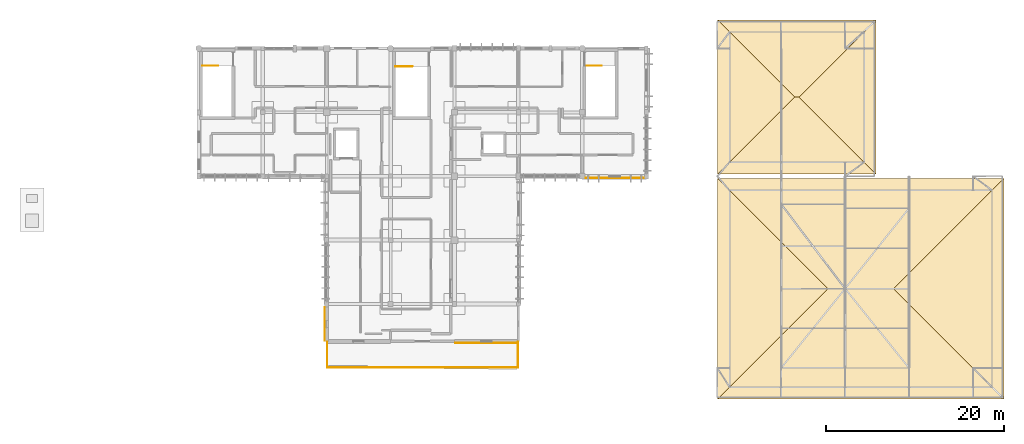
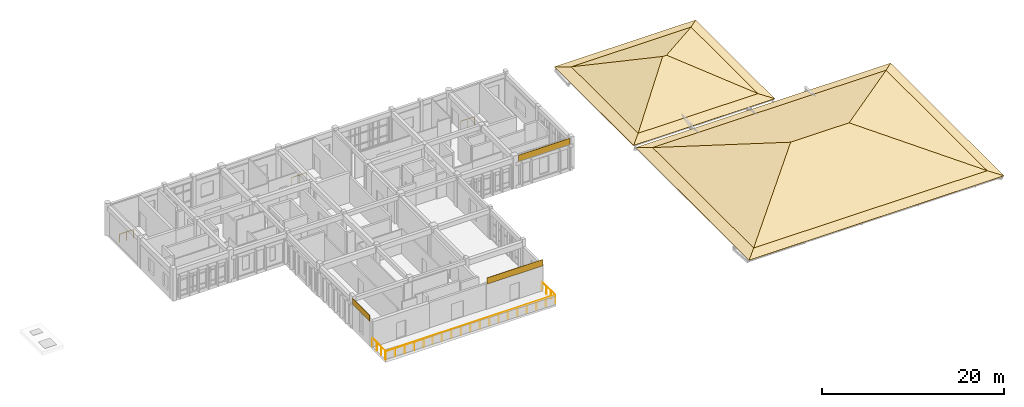
# One storey, part 19 of 19: 19 coverings, 6 railings.
"""IFC4 building model written with IfcOpenShell, lengths in metres."""

import ifcopenshell
import ifcopenshell.guid

model = None  # the IFC model being written
_history = None  # IfcOwnerHistory: only IFC2X3 demands one
_inside = {}  # id of a spatial element -> (the spatial element, [elements in it])
_under = {}  # id of a project, library or spatial element -> (it, [spatial elements below it])
_declared = {}  # id of a project -> (the project, [libraries it declares])
_typed = {}  # id of a type object -> (the type object, [elements of that type])
_made_of = {}  # id of a material, layer set ... -> (it, [elements and type objects made of it])


def new_model(schema):
    """Start an empty IFC model of exactly this schema.

    Asked for "IFC4X3", IfcOpenShell would pick the latest addendum, in which some entities
    have other attributes; the version numbers below select the first issue.
    IFC2X3 requires an IfcOwnerHistory on every rooted entity: one is made here for all.
    """
    global model, _history
    if schema == "IFC4X3":
        model = ifcopenshell.file(schema_version=(4, 3, 0, 0))
    else:
        model = ifcopenshell.file(schema=schema)
    _inside.clear()
    _under.clear()
    _declared.clear()
    _typed.clear()
    _made_of.clear()
    _history = None
    if model.schema == "IFC2X3":
        org = make("IfcOrganization", Name="unknown")
        user = make(
            "IfcPersonAndOrganization",
            ThePerson=make("IfcPerson", FamilyName="unknown"),
            TheOrganization=org,
        )
        app = make(
            "IfcApplication",
            ApplicationDeveloper=org,
            Version="unknown",
            ApplicationFullName="unknown",
            ApplicationIdentifier="unknown",
        )
        _history = make(
            "IfcOwnerHistory",
            OwningUser=user,
            OwningApplication=app,
            ChangeAction="ADDED",
            CreationDate=0,
        )
    return model


def make(cls, **values):
    """One entity of the class cls with the attributes given. An attribute that is None is left unset."""
    return model.create_entity(
        cls, **{name: value for name, value in values.items() if value is not None}
    )


def rooted(cls, **values):
    """An entity with a GlobalId (a new one), such as an element, a storey or a relation."""
    return make(cls, GlobalId=ifcopenshell.guid.new(), OwnerHistory=_history, **values)


def si_unit(unit_type, name, prefix=None):
    """IfcSIUnit, for example si_unit("LENGTHUNIT", "METRE", prefix="MILLI")."""
    return make("IfcSIUnit", UnitType=unit_type, Prefix=prefix, Name=name)


def assignment(units):
    """IfcUnitAssignment: the units of a project."""
    return None if units is None else make("IfcUnitAssignment", Units=units)


def point(xyz):
    """IfcCartesianPoint."""
    return None if xyz is None else make("IfcCartesianPoint", Coordinates=xyz)


def direction(xyz):
    """IfcDirection."""
    return None if xyz is None else make("IfcDirection", DirectionRatios=xyz)


def frame(location, z_axis=None, x_axis=None):
    """IfcAxis2Placement3D, a coordinate frame: its origin and axes. An axis left out is left unset."""
    return make(
        "IfcAxis2Placement3D",
        Location=point(location),
        Axis=direction(z_axis),
        RefDirection=direction(x_axis),
    )


def frame_2d(location, x_axis=None):
    """IfcAxis2Placement2D, a coordinate frame in the plane: its origin and x axis."""
    return make(
        "IfcAxis2Placement2D", Location=point(location), RefDirection=direction(x_axis)
    )


def origin():
    """The frame at (0, 0, 0) with its axes left unset."""
    return frame((0.0, 0.0, 0.0))


def origin_2d():
    """The frame at (0, 0) in the plane with its x axis left unset."""
    return frame_2d((0.0, 0.0))


def place(relative_to, where):
    """IfcLocalPlacement: puts the frame where relative to a parent placement (None: the world)."""
    return make(
        "IfcLocalPlacement", PlacementRelTo=relative_to, RelativePlacement=where
    )


def context(
    kind, dimensions, precision=None, world=None, true_north=None, identifier=None
):
    """IfcGeometricRepresentationContext, for example the 3D "Model" context."""
    return make(
        "IfcGeometricRepresentationContext",
        ContextIdentifier=identifier,
        ContextType=kind,
        CoordinateSpaceDimension=dimensions,
        Precision=precision,
        WorldCoordinateSystem=world,
        TrueNorth=true_north,
    )


def subcontext(parent, identifier, kind, view, scale=None):
    """IfcGeometricRepresentationSubContext, for example "Body" below "Model"."""
    return make(
        "IfcGeometricRepresentationSubContext",
        ContextIdentifier=identifier,
        ContextType=kind,
        ParentContext=parent,
        TargetScale=scale,
        TargetView=view,
    )


def project(units=None, contexts=None):
    """IfcProject with its units and contexts."""
    return rooted(
        "IfcProject",
        Name="project",
        RepresentationContexts=contexts,
        UnitsInContext=assignment(units),
    )


def spatial(cls, under=None, at=None, **own):
    """A site, building, storey or space (cls), placed at a placement, below another one or the project."""
    s = rooted(cls, ObjectPlacement=at, **own)
    if under is not None:
        _under.setdefault(under.id(), (under, []))[1].append(s)
    return s


def polyline(points):
    """IfcPolyline through the points."""
    return make("IfcPolyline", Points=[point(p) for p in points])


def profile(cls, at=None, kind="AREA", **sizes):
    """A parametric profile (cls). Its sizes go by their IFC names, for example OverallWidth=200.0."""
    return make(cls, ProfileType=kind, Position=at, **sizes)


def rectangle(**sizes):
    """IfcRectangleProfileDef."""
    return profile("IfcRectangleProfileDef", **sizes)


def circle(**sizes):
    """IfcCircleProfileDef."""
    return profile("IfcCircleProfileDef", **sizes)


def outline(outer, holes=None, kind="AREA"):
    """IfcArbitraryClosedProfileDef: a profile drawn as a closed curve; with holes, ...WithVoids."""
    if holes is None:
        return make("IfcArbitraryClosedProfileDef", ProfileType=kind, OuterCurve=outer)
    return make(
        "IfcArbitraryProfileDefWithVoids",
        ProfileType=kind,
        OuterCurve=outer,
        InnerCurves=holes,
    )


def extrude(swept, where, along, depth):
    """IfcExtrudedAreaSolid: the profile swept, set in the frame where, extruded along a direction by depth."""
    return make(
        "IfcExtrudedAreaSolid",
        SweptArea=swept,
        Position=where,
        ExtrudedDirection=direction(along),
        Depth=depth,
    )


def shape(context_of_items, identifier, shape_type, items):
    """IfcShapeRepresentation: the items that make up one representation, for example the "Body"."""
    return make(
        "IfcShapeRepresentation",
        ContextOfItems=context_of_items,
        RepresentationIdentifier=identifier,
        RepresentationType=shape_type,
        Items=items,
    )


def material(Name=None, Category=None):
    """IfcMaterial."""
    return make("IfcMaterial", Name=Name, Category=Category)


def layer(
    of_material, thickness, ventilated=None, Name=None, Category=None, Priority=None
):
    """IfcMaterialLayer: one layer of a wall or slab, of a material (None: an air gap)."""
    return make(
        "IfcMaterialLayer",
        Material=of_material,
        LayerThickness=thickness,
        IsVentilated=ventilated,
        Name=Name,
        Category=Category,
        Priority=Priority,
    )


def layer_set(layers, Name=None):
    """IfcMaterialLayerSet."""
    return make("IfcMaterialLayerSet", MaterialLayers=layers, LayerSetName=Name)


def made_of(thing, what):
    """Note that an element or type object is made of a material, layer set ...; save() writes the relation."""
    if what is not None:
        _made_of.setdefault(what.id(), (what, []))[1].append(thing)
    return thing


def type_object(cls, material=None, **own):
    """A type object (cls), such as IfcWallType, which elements share."""
    return made_of(rooted(cls, **own), material)


def element(
    cls,
    number,
    at=None,
    inside=None,
    cuts=None,
    type_object=None,
    material=None,
    context=None,
    identifier="Body",
    shape_type=None,
    held_by="IfcProductDefinitionShape",
    body=None,
    shapes=None,
    **own,
):
    """One element of the class cls, such as IfcWall. Its Tag is "e" and its number.

    at: its placement. inside: the storey or other place that contains it. cuts: it is an
    opening in that element (IfcRelVoidsElement). A single representation is given by context,
    identifier, shape_type and body (its items); several are given by shapes. held_by: the class
    of the entity that holds the representations. save() writes the other relations.
    """
    e = rooted(cls, Tag="e%d" % number, ObjectPlacement=at, **own)
    if body is not None:
        shapes = [shape(context, identifier, shape_type, body)]
    if shapes is not None:
        e.Representation = make(held_by, Representations=shapes)
    if inside is not None:
        _inside.setdefault(inside.id(), (inside, []))[1].append(e)
    if cuts is not None:
        rooted(
            "IfcRelVoidsElement", RelatingBuildingElement=cuts, RelatedOpeningElement=e
        )
    if type_object is not None:
        _typed.setdefault(type_object.id(), (type_object, []))[1].append(e)
    return made_of(e, material)


def aggregate(whole, parts):
    """IfcRelAggregates: a whole, such as a stair, and the parts it consists of."""
    return rooted("IfcRelAggregates", RelatingObject=whole, RelatedObjects=parts)


def save(model, path):
    """Write the relations noted so far, then the file.

    IfcRelAggregates (storeys below a building ...), IfcRelContainedInSpatialStructure (elements
    in a storey), IfcRelDefinesByType, IfcRelAssociatesMaterial and IfcRelDeclares: one each for
    every whole, place, type object, material and project.
    """
    for whole, parts in _under.values():
        aggregate(whole, parts)
    for where, things in _inside.values():
        rooted(
            "IfcRelContainedInSpatialStructure",
            RelatedElements=things,
            RelatingStructure=where,
        )
    for kind, things in _typed.values():
        rooted("IfcRelDefinesByType", RelatedObjects=things, RelatingType=kind)
    for what, things in _made_of.values():
        rooted("IfcRelAssociatesMaterial", RelatedObjects=things, RelatingMaterial=what)
    for by, libraries in _declared.values():
        rooted("IfcRelDeclares", RelatingContext=by, RelatedDefinitions=libraries)
    model.write(path)


model = new_model("IFC4")

# Units and contexts
model_context = context("Model", 3, precision=1e-05, world=origin(), true_north=direction((0.0, 1.0)))
body_context = subcontext(model_context, "Body", "Model", "MODEL_VIEW")
ifc_project = project(units=[si_unit("LENGTHUNIT", "METRE"), si_unit("AREAUNIT", "SQUARE_METRE"), si_unit("VOLUMEUNIT", "CUBIC_METRE"), si_unit("PLANEANGLEUNIT", "RADIAN"), si_unit("MASSUNIT", "GRAM", prefix="KILO")], contexts=[model_context])

# Site, building, storey
site_placement = place(None, origin())
site = spatial("IfcSite", under=ifc_project, at=site_placement, CompositionType="ELEMENT")
building_placement = place(site_placement, origin())
building = spatial("IfcBuilding", under=site, at=building_placement, Name="Steenspoor Specialist Clinic", CompositionType="ELEMENT")
storey_placement = place(building_placement, frame((0.0, 0.0, 21.60009765625)))
storey = spatial("IfcBuildingStorey", under=building, at=storey_placement, Name="L05", CompositionType="ELEMENT", Elevation=21.60009765625)

# Coverings
ifc_material_1 = material(Name="Glulam GL28h timber screen louvre cladding", Category="wood")
ifc_layer_1 = layer(ifc_material_1, 0.044921875)
ifc_layer_set_1 = layer_set([ifc_layer_1], Name="Glulam GL28h timber screen louvre cladding")
covering_type_1 = type_object("IfcCoveringType", Name="COV-CLAD-TIMBER", PredefinedType="CLADDING", material=ifc_layer_set_1)
covering_1_placement = place(storey_placement, frame((92.0, 75.14990234375, 3.36474609375), z_axis=(0.0, 0.0, 1.0), x_axis=(-1.0, 0.0, 0.0)))
element("IfcCovering", 1, at=covering_1_placement, inside=storey, type_object=covering_type_1, Name="Spandrel Cladding 61", PredefinedType="CLADDING", context=body_context, shape_type="SweptSolid", body=[
    extrude(rectangle(XDim=7.080078125, YDim=0.0400390625, at=origin_2d()), origin(), (0.0, 0.0, 1.0), 0.840087890625),
])
covering_2_placement = place(storey_placement, frame((73.784912109375, 77.28759765625, 3.36474609375), z_axis=(0.0, 0.0, 1.0), x_axis=(0.0, 1.0, 0.0)))
element("IfcCovering", 2, at=covering_2_placement, inside=storey, type_object=covering_type_1, Name="Spandrel Cladding 62", PredefinedType="CLADDING", context=body_context, shape_type="SweptSolid", body=[
    extrude(rectangle(XDim=3.7548828125, YDim=0.0400390625, at=origin_2d()), origin(), (0.0, 0.0, 1.0), 0.840087890625),
])
covering_3_placement = place(storey_placement, frame((106.449951171875, 93.735107421875, 3.354736328125), z_axis=(0.0, 0.0, 1.0), x_axis=(-1.0, 0.0, 0.0)))
element("IfcCovering", 3, at=covering_3_placement, inside=storey, type_object=covering_type_1, Name="Spandrel Cladding 63", PredefinedType="CLADDING", context=body_context, shape_type="SweptSolid", body=[
    extrude(rectangle(XDim=6.530029296875, YDim=0.0400390625, at=origin_2d()), origin(), (0.0, 0.0, 1.0), 0.85009765625),
])
ifc_material_2 = material(Name="Extruded terracotta clay roof tile", Category="masonry")
ifc_layer_2 = layer(ifc_material_2, 0.044921875)
ifc_layer_set_2 = layer_set([ifc_layer_2], Name="Extruded terracotta clay roof tile")
covering_type_2 = type_object("IfcCoveringType", Name="COV-ROOF-TILE", PredefinedType="ROOFING", material=ifc_layer_set_2)
covering_4_placement = place(storey_placement, frame((118.030029296875, 68.85009765625, 0.0478515625), z_axis=(0.0, -0.241998799207, 0.970276548816), x_axis=(1.0, 0.0, 0.0)))
element("IfcCovering", 4, at=covering_4_placement, inside=storey, type_object=covering_type_2, Name="Clay Tile Roofing V6 SKS", PredefinedType="ROOFING", context=body_context, shape_type="SweptSolid", body=[
    extrude(outline(polyline([(0.0, 0.0), (32.27001953125, 0.0), (30.919921875, 1.3912049273706915), (1.349853515625, 1.3912049273706915), (0.0, 0.0)])), origin(), (0.0, 0.0, -1.0), 0.044921875),
])
covering_5_placement = place(storey_placement, frame((150.300048828125, 93.719970703125, 0.0478515625), z_axis=(0.0, 0.241998799207, 0.970276548816), x_axis=(-1.0, 0.0, 0.0)))
element("IfcCovering", 5, at=covering_5_placement, inside=storey, type_object=covering_type_2, Name="Clay Tile Roofing V6 SKN", PredefinedType="ROOFING", context=body_context, shape_type="SweptSolid", body=[
    extrude(outline(polyline([(0.0, 0.0), (32.27001953125, 0.0), (30.920166015625, 1.3912049273706915), (1.35009765625, 1.3912049273706915), (0.0, 0.0)])), origin(), (0.0, 0.0, -1.0), 0.044921875),
])
covering_6_placement = place(storey_placement, frame((118.030029296875, 93.719970703125, 0.0478515625), z_axis=(-0.241998799207, 0.0, 0.970276548816), x_axis=(0.0, -1.0, 0.0)))
element("IfcCovering", 6, at=covering_6_placement, inside=storey, type_object=covering_type_2, Name="Clay Tile Roofing V6 SKW", PredefinedType="ROOFING", context=body_context, shape_type="SweptSolid", body=[
    extrude(outline(polyline([(0.0, 0.0), (24.869873046875, 0.0), (23.52001953125, 1.3912049273706915), (1.349853515625, 1.3912049273706915), (0.0, 0.0)])), origin(), (0.0, 0.0, -1.0), 0.044921875),
])
covering_7_placement = place(storey_placement, frame((150.300048828125, 68.85009765625, 0.0478515625), z_axis=(0.241957600267, 0.0, 0.970286823405), x_axis=(0.0, 1.0, 0.0)))
element("IfcCovering", 7, at=covering_7_placement, inside=storey, type_object=covering_type_2, Name="Clay Tile Roofing V6 SKE", PredefinedType="ROOFING", context=body_context, shape_type="SweptSolid", body=[
    extrude(outline(polyline([(0.0, 0.0), (24.869873046875, 0.0), (23.52001953125, 1.3914418125480714), (1.349853515625, 1.3914418125480714), (0.0, 0.0)])), origin(), (0.0, 0.0, -1.0), 0.044921875),
])
covering_8_placement = place(storey_placement, frame((119.3798828125, 70.199951171875, 0.384521484375), z_axis=(0.0, -0.306044473802, 0.95201721626), x_axis=(1.0, 0.0, 0.0)))
element("IfcCovering", 8, at=covering_8_placement, inside=storey, type_object=covering_type_2, Name="Clay Tile Roofing V6 S", PredefinedType="ROOFING", context=body_context, shape_type="SweptSolid", body=[
    extrude(outline(polyline([(0.0, 0.0), (29.570068359375, 0.0), (18.485107421875, 11.643655963544598), (11.085205078125, 11.643655963544598), (0.0, 0.0)])), origin(), (0.0, 0.0, -1.0), 0.044921875),
])
covering_9_placement = place(storey_placement, frame((148.949951171875, 92.3701171875, 0.384521484375), z_axis=(0.0, 0.306038364779, 0.952019180103), x_axis=(-1.0, 0.0, 0.0)))
element("IfcCovering", 9, at=covering_9_placement, inside=storey, type_object=covering_type_2, Name="Clay Tile Roofing V6 N", PredefinedType="ROOFING", context=body_context, shape_type="SweptSolid", body=[
    extrude(outline(polyline([(0.0, 0.0), (29.570068359375, 0.0), (18.48486328125, 11.643888389862518), (11.0849609375, 11.643888389862518), (0.0, 0.0)])), origin(), (0.0, 0.0, -1.0), 0.044921875),
])
covering_10_placement = place(storey_placement, frame((119.3798828125, 92.3701171875, 0.384521484375), z_axis=(-0.306038364779, 0.0, 0.952019180103), x_axis=(0.0, -1.0, 0.0)))
element("IfcCovering", 10, at=covering_10_placement, inside=storey, type_object=covering_type_2, Name="Clay Tile Roofing V6 W", PredefinedType="ROOFING", context=body_context, shape_type="SweptSolid", body=[
    extrude(outline(polyline([(0.0, 0.0), (22.170166015625, 0.0), (11.085205078125, 11.643888389862518), (0.0, 0.0)])), origin(), (0.0, 0.0, -1.0), 0.044921875),
])
covering_11_placement = place(storey_placement, frame((148.949951171875, 70.199951171875, 0.384521484375), z_axis=(0.306044473802, 0.0, 0.95201721626), x_axis=(0.0, 1.0, 0.0)))
element("IfcCovering", 11, at=covering_11_placement, inside=storey, type_object=covering_type_2, Name="Clay Tile Roofing V6 E", PredefinedType="ROOFING", context=body_context, shape_type="SweptSolid", body=[
    extrude(outline(polyline([(0.0, 0.0), (22.170166015625, 0.0), (11.0849609375, 11.643655963544598), (0.0, 0.0)])), origin(), (0.0, 0.0, -1.0), 0.044921875),
])
for number, where, z_axis, x_axis, name in (
    (12, (118.030029296875, 94.179931640625, 0.0478515625), (0.0, -0.241957600267, 0.970286823405), (1.0, 0.0, 0.0), "Clay Tile Roofing V6N SKS"),
    (13, (135.89990234375, 111.550048828125, 0.0478515625), (0.0, 0.241957600267, 0.970286823405), (-1.0, 0.0, 0.0), "Clay Tile Roofing V6N SKN"),
):
    element("IfcCovering", number, at=place(storey_placement, frame(where, z_axis=z_axis, x_axis=x_axis)), inside=storey, type_object=covering_type_2, Name=name, PredefinedType="ROOFING", context=body_context, shape_type="SweptSolid", body=[
        extrude(outline(polyline([(0.0, 0.0), (17.869873046875, 0.0), (16.52001953125, 1.3914418125480712), (1.349853515625, 1.3914418125480712), (0.0, 0.0)])), origin(), (0.0, 0.0, -1.0), 0.044921875),
    ])
for number, where, z_axis, x_axis, name in (
    (14, (118.030029296875, 111.550048828125, 0.0478515625), (-0.241998799207, 0.0, 0.970276548816), (0.0, -1.0, 0.0), "Clay Tile Roofing V6N SKW"),
    (15, (135.89990234375, 94.179931640625, 0.0478515625), (0.241998799207, 0.0, 0.970276548816), (0.0, 1.0, 0.0), "Clay Tile Roofing V6N SKE"),
):
    element("IfcCovering", number, at=place(storey_placement, frame(where, z_axis=z_axis, x_axis=x_axis)), inside=storey, type_object=covering_type_2, Name=name, PredefinedType="ROOFING", context=body_context, shape_type="SweptSolid", body=[
        extrude(outline(polyline([(0.0, 0.0), (17.3701171875, 0.0), (16.02001953125, 1.3912049273706915), (1.35009765625, 1.3912049273706915), (0.0, 0.0)])), origin(), (0.0, 0.0, -1.0), 0.044921875),
    ])
covering_12_placement = place(storey_placement, frame((119.3798828125, 95.530029296875, 0.384521484375), z_axis=(0.0, -0.406496776778, 0.913652215271), x_axis=(1.0, 0.0, 0.0)))
element("IfcCovering", 16, at=covering_12_placement, inside=storey, type_object=covering_type_2, Name="Clay Tile Roofing V6N S", PredefinedType="ROOFING", context=body_context, shape_type="SweptSolid", body=[
    extrude(outline(polyline([(0.0, 0.0), (15.170166015625, 0.0), (7.835205078125, 8.028176164742451), (7.335205078125, 8.028176164742451), (0.0, 0.0)])), origin(), (0.0, 0.0, -1.0), 0.044921875),
])
covering_13_placement = place(storey_placement, frame((134.550048828125, 110.199951171875, 0.384521484375), z_axis=(0.0, 0.406496776778, 0.913652215271), x_axis=(-1.0, 0.0, 0.0)))
element("IfcCovering", 17, at=covering_13_placement, inside=storey, type_object=covering_type_2, Name="Clay Tile Roofing V6N N", PredefinedType="ROOFING", context=body_context, shape_type="SweptSolid", body=[
    extrude(outline(polyline([(0.0, 0.0), (15.170166015625, 0.0), (7.8349609375, 8.028176164742451), (7.3349609375, 8.028176164742451), (0.0, 0.0)])), origin(), (0.0, 0.0, -1.0), 0.044921875),
])
covering_14_placement = place(storey_placement, frame((119.3798828125, 110.199951171875, 0.384521484375), z_axis=(-0.406485482713, 0.0, 0.913657240076), x_axis=(0.0, -1.0, 0.0)))
element("IfcCovering", 18, at=covering_14_placement, inside=storey, type_object=covering_type_2, Name="Clay Tile Roofing V6N W", PredefinedType="ROOFING", context=body_context, shape_type="SweptSolid", body=[
    extrude(outline(polyline([(0.0, 0.0), (14.669921875, 0.0), (7.3349609375, 8.02839922497871), (0.0, 0.0)])), origin(), (0.0, 0.0, -1.0), 0.044921875),
])
covering_15_placement = place(storey_placement, frame((134.550048828125, 95.530029296875, 0.384521484375), z_axis=(0.406496776778, 0.0, 0.913652215271), x_axis=(0.0, 1.0, 0.0)))
element("IfcCovering", 19, at=covering_15_placement, inside=storey, type_object=covering_type_2, Name="Clay Tile Roofing V6N E", PredefinedType="ROOFING", context=body_context, shape_type="SweptSolid", body=[
    extrude(outline(polyline([(0.0, 0.0), (14.669921875, 0.0), (7.3349609375, 8.028176164742453), (0.0, 0.0)])), origin(), (0.0, 0.0, -1.0), 0.044921875),
])

# Railings
ifc_material_3 = material(Name="Galvanised architectural steel exterior guard", Category="steel")
railing_type_1 = type_object("IfcRailingType", Name="RAIL-EGUARD-1100", PredefinedType="GUARDRAIL", material=ifc_material_3)
railing_1_placement = place(storey_placement, frame((74.06005859375, 72.409912109375, 0.0)))
element("IfcRailing", 20, at=railing_1_placement, inside=storey, type_object=railing_type_1, Name="Terrace Perimeter Guard 13", PredefinedType="GUARDRAIL", context=body_context, shape_type="SweptSolid", body=[
    extrude(circle(Radius=0.02392578125, at=origin_2d()), frame((0.0, 0.0, 1.09619140625), z_axis=(1.0, 0.0, 0.0), x_axis=(0.0, 1.0, 0.0)), (0.0, 0.0, 1.0), 21.47998046875),
    extrude(circle(Radius=0.02099609375, at=origin_2d()), origin(), (0.0, 0.0, 1.0), 1.072021484375),
    extrude(circle(Radius=0.02099609375, at=origin_2d()), frame((1.193359375, 0.0, 0.0)), (0.0, 0.0, 1.0), 1.072021484375),
    extrude(circle(Radius=0.02099609375, at=origin_2d()), frame((2.38671875, 0.0, 0.0)), (0.0, 0.0, 1.0), 1.072021484375),
    extrude(circle(Radius=0.02099609375, at=origin_2d()), frame((3.580078125, 0.0, 0.0)), (0.0, 0.0, 1.0), 1.072021484375),
    extrude(circle(Radius=0.02099609375, at=origin_2d()), frame((4.7734375, 0.0, 0.0)), (0.0, 0.0, 1.0), 1.072021484375),
    extrude(circle(Radius=0.02099609375, at=origin_2d()), frame((5.966552734375, 0.0, 0.0)), (0.0, 0.0, 1.0), 1.072021484375),
    extrude(circle(Radius=0.02099609375, at=origin_2d()), frame((7.159912109375, 0.0, 0.0)), (0.0, 0.0, 1.0), 1.072021484375),
    extrude(circle(Radius=0.02099609375, at=origin_2d()), frame((8.353271484375, 0.0, 0.0)), (0.0, 0.0, 1.0), 1.072021484375),
    extrude(circle(Radius=0.02099609375, at=origin_2d()), frame((9.546630859375, 0.0, 0.0)), (0.0, 0.0, 1.0), 1.072021484375),
    extrude(circle(Radius=0.02099609375, at=origin_2d()), frame((10.739990234375, 0.0, 0.0)), (0.0, 0.0, 1.0), 1.072021484375),
    extrude(circle(Radius=0.02099609375, at=origin_2d()), frame((11.933349609375, 0.0, 0.0)), (0.0, 0.0, 1.0), 1.072021484375),
    extrude(circle(Radius=0.02099609375, at=origin_2d()), frame((13.126708984375, 0.0, 0.0)), (0.0, 0.0, 1.0), 1.072021484375),
    extrude(circle(Radius=0.02099609375, at=origin_2d()), frame((14.320068359375, 0.0, 0.0)), (0.0, 0.0, 1.0), 1.072021484375),
    extrude(circle(Radius=0.02099609375, at=origin_2d()), frame((15.513427734375, 0.0, 0.0)), (0.0, 0.0, 1.0), 1.072021484375),
    extrude(circle(Radius=0.02099609375, at=origin_2d()), frame((16.70654296875, 0.0, 0.0)), (0.0, 0.0, 1.0), 1.072021484375),
    extrude(circle(Radius=0.02099609375, at=origin_2d()), frame((17.89990234375, 0.0, 0.0)), (0.0, 0.0, 1.0), 1.072021484375),
    extrude(circle(Radius=0.02099609375, at=origin_2d()), frame((19.09326171875, 0.0, 0.0)), (0.0, 0.0, 1.0), 1.072021484375),
    extrude(circle(Radius=0.02099609375, at=origin_2d()), frame((20.28662109375, 0.0, 0.0)), (0.0, 0.0, 1.0), 1.072021484375),
    extrude(circle(Radius=0.02099609375, at=origin_2d()), frame((21.47998046875, 0.0, 0.0)), (0.0, 0.0, 1.0), 1.072021484375),
])
railing_2_placement = place(storey_placement, frame((95.5400390625, 72.409912109375, 0.0)))
element("IfcRailing", 21, at=railing_2_placement, inside=storey, type_object=railing_type_1, Name="Terrace Perimeter Guard 14", PredefinedType="GUARDRAIL", context=body_context, shape_type="SweptSolid", body=[
    extrude(circle(Radius=0.02392578125, at=origin_2d()), frame((0.0, 0.0, 1.09619140625), z_axis=(0.0, 1.0, 0.0), x_axis=(-1.0, 0.0, 0.0)), (0.0, 0.0, 1.0), 2.880126953125),
    extrude(circle(Radius=0.02099609375, at=origin_2d()), origin(), (0.0, 0.0, 1.0), 1.072021484375),
    extrude(circle(Radius=0.02099609375, at=origin_2d()), frame((0.0, 0.9599609375, 0.0)), (0.0, 0.0, 1.0), 1.072021484375),
    extrude(circle(Radius=0.02099609375, at=origin_2d()), frame((0.0, 1.920166015625, 0.0)), (0.0, 0.0, 1.0), 1.072021484375),
    extrude(circle(Radius=0.02099609375, at=origin_2d()), frame((0.0, 2.880126953125, 0.0)), (0.0, 0.0, 1.0), 1.072021484375),
])
railing_3_placement = place(storey_placement, frame((74.06005859375, 75.2900390625, 0.0)))
element("IfcRailing", 22, at=railing_3_placement, inside=storey, type_object=railing_type_1, Name="Terrace Perimeter Guard 15", PredefinedType="GUARDRAIL", context=body_context, shape_type="SweptSolid", body=[
    extrude(circle(Radius=0.02392578125, at=origin_2d()), frame((0.0, 0.0, 1.09619140625), z_axis=(0.0, -1.0, 0.0), x_axis=(1.0, 0.0, 0.0)), (0.0, 0.0, 1.0), 2.880126953125),
    extrude(circle(Radius=0.02099609375, at=origin_2d()), origin(), (0.0, 0.0, 1.0), 1.072021484375),
    extrude(circle(Radius=0.02099609375, at=origin_2d()), frame((0.0, -0.9599609375, 0.0)), (0.0, 0.0, 1.0), 1.072021484375),
    extrude(circle(Radius=0.02099609375, at=origin_2d()), frame((0.0, -1.920166015625, 0.0)), (0.0, 0.0, 1.0), 1.072021484375),
    extrude(circle(Radius=0.02099609375, at=origin_2d()), frame((0.0, -2.880126953125, 0.0)), (0.0, 0.0, 1.0), 1.072021484375),
])
ifc_material_4 = material(Name="Painted architectural steel balustrade", Category="steel")
railing_type_2 = type_object("IfcRailingType", Name="RAIL-GUARD-1100", PredefinedType="GUARDRAIL", material=ifc_material_4)
for number, where, name in (
    (23, (60.0, 106.39990234375, 0.0), "L05 ST-V4A top well guard 1"),
    (24, (103.199951171875, 106.39990234375, 0.0), "L05 ST-V4B top well guard 1"),
):
    element("IfcRailing", number, at=place(storey_placement, frame(where)), inside=storey, type_object=railing_type_2, Name=name, PredefinedType="GUARDRAIL", context=body_context, shape_type="SweptSolid", body=[
        extrude(circle(Radius=0.02392578125, at=origin_2d()), frame((0.0, 0.0, 1.076171875), z_axis=(1.0, 0.0, 0.0), x_axis=(0.0, 1.0, 0.0)), (0.0, 0.0, 1.0), 1.75),
        extrude(circle(Radius=0.02099609375, at=origin_2d()), origin(), (0.0, 0.0, 1.0), 1.052001953125),
        extrude(circle(Radius=0.02099609375, at=origin_2d()), frame((0.875, 0.0, 0.0)), (0.0, 0.0, 1.0), 1.052001953125),
        extrude(circle(Radius=0.02099609375, at=origin_2d()), frame((1.75, 0.0, 0.0)), (0.0, 0.0, 1.0), 1.052001953125),
    ])
railing_4_placement = place(storey_placement, frame((81.75, 106.330078125, 0.0)))
element("IfcRailing", 25, at=railing_4_placement, inside=storey, type_object=railing_type_2, Name="L05 ST-V4C top well guard 1", PredefinedType="GUARDRAIL", context=body_context, shape_type="SweptSolid", body=[
    extrude(circle(Radius=0.02392578125, at=origin_2d()), frame((0.0, 0.0, 1.076171875), z_axis=(1.0, 0.0, 0.0), x_axis=(0.0, 1.0, 0.0)), (0.0, 0.0, 1.0), 1.89990234375),
    extrude(circle(Radius=0.02099609375, at=origin_2d()), origin(), (0.0, 0.0, 1.0), 1.052001953125),
    extrude(circle(Radius=0.02099609375, at=origin_2d()), frame((0.949951171875, 0.0, 0.0)), (0.0, 0.0, 1.0), 1.052001953125),
    extrude(circle(Radius=0.02099609375, at=origin_2d()), frame((1.89990234375, 0.0, 0.0)), (0.0, 0.0, 1.0), 1.052001953125),
])

save(model, "model.ifc")
